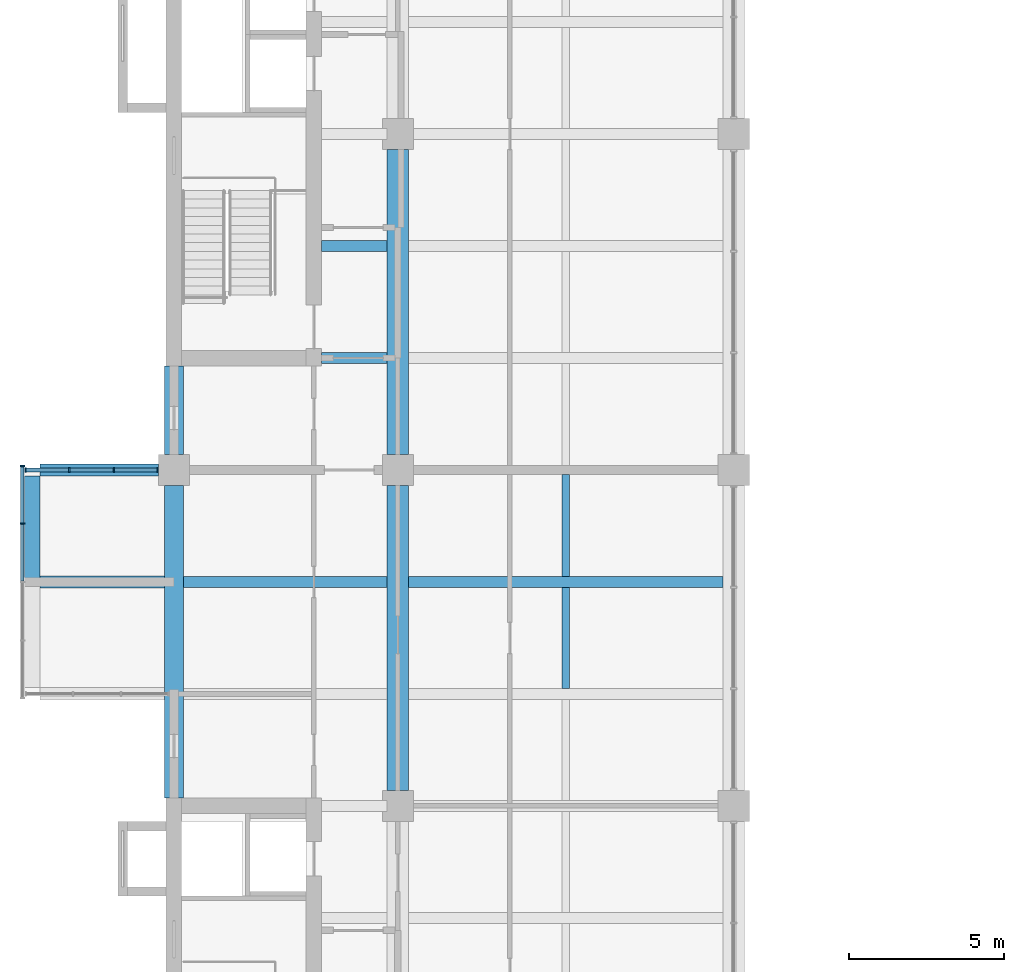
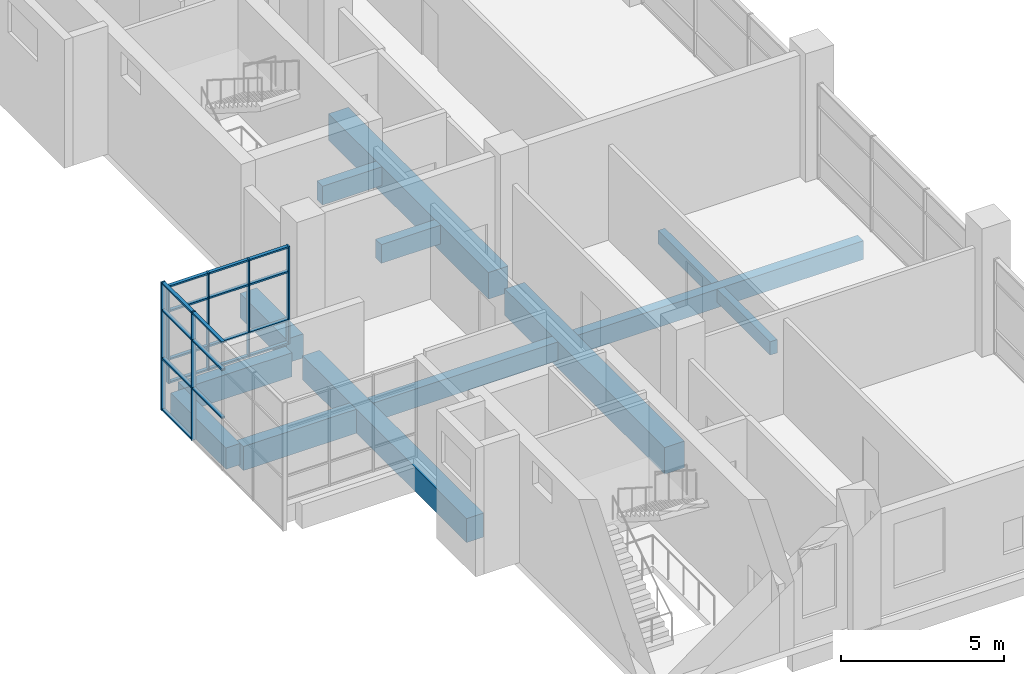
# One storey, part 3 of 30: 25 members, 13 beams, 2 elements without a shape of their own.
"""IFC4 building model written with IfcOpenShell, lengths in metres."""

from ifc_helpers import new_model, si_unit, direction, frame, origin, origin_2d, place, context, subcontext, project, spatial, rectangle, extrude, material, layer, layer_set, material_profile, profile_set, type_object, element, aggregate, save


model = new_model("IFC4")

# Units and contexts
model_context = context("Model", 3, precision=1e-05, world=origin(), true_north=direction((0.0, 1.0)))
body_context = subcontext(model_context, "Body", "Model", "MODEL_VIEW")
ifc_project = project(units=[si_unit("LENGTHUNIT", "METRE"), si_unit("AREAUNIT", "SQUARE_METRE"), si_unit("VOLUMEUNIT", "CUBIC_METRE"), si_unit("PLANEANGLEUNIT", "RADIAN"), si_unit("MASSUNIT", "GRAM", prefix="KILO")], contexts=[model_context])

# Site, building, storey
site_placement = place(None, origin())
site = spatial("IfcSite", under=ifc_project, at=site_placement, CompositionType="ELEMENT")
building_placement = place(site_placement, origin())
building = spatial("IfcBuilding", under=site, at=building_placement, Name="Basin Gate Institute", CompositionType="ELEMENT")
storey_placement = place(building_placement, frame((0.0, 0.0, 36.60009765625)))
storey = spatial("IfcBuildingStorey", under=building, at=storey_placement, Name="L07", CompositionType="ELEMENT", Elevation=36.60009765625)

# Beams
ifc_material_1 = material(Name="Concrete 40 MPa", Category="concrete")
ifc_material_profile_1 = material_profile(ifc_material_1, rectangle(XDim=0.35009765625, YDim=0.699951171875, at=origin_2d()), Name="Beam B1 350 x 700")
ifc_profile_set_1 = profile_set([ifc_material_profile_1], Name="Concrete 40 MPa")
beam_type_1 = type_object("IfcBeamType", Name="Beam B1 R120", PredefinedType="BEAM", material=ifc_profile_set_1)
beam_1_placement = place(storey_placement, frame((68.75, 53.10009765625, -0.60009765625), z_axis=(1.0, 0.0, 0.0), x_axis=(0.0, 1.0, 0.0)))
element("IfcBeam", 1, at=beam_1_placement, inside=storey, type_object=beam_type_1, material=ifc_profile_set_1, Name="BEAM/L07/W/EW/06", PredefinedType="BEAM", context=body_context, shape_type="SweptSolid", body=[
    extrude(rectangle(XDim=0.35009765625, YDim=0.699951171875, at=origin_2d()), origin(), (0.0, 0.0, 1.0), 10.10009765625),
])
beam_2_placement = place(storey_placement, frame((61.5, 53.10009765625, -0.60009765625), z_axis=(1.0, 0.0, 0.0), x_axis=(0.0, 1.0, 0.0)))
element("IfcBeam", 2, at=beam_2_placement, inside=storey, type_object=beam_type_1, material=ifc_profile_set_1, Name="BEAM/L07/W/OUT/06", PredefinedType="BEAM", context=body_context, shape_type="SweptSolid", body=[
    extrude(rectangle(XDim=0.35009765625, YDim=0.699951171875, at=origin_2d()), origin(), (0.0, 0.0, 1.0), 6.550048828125),
])
for number, where, z_axis, x_axis, name in (
    (3, (65.949951171875, 60.300048828125, -0.60009765625), (1.0, 0.0, 0.0), (0.0, 1.0, 0.0), "BEAM/L07/W/CORR/08"),
    (4, (65.949951171875, 63.89990234375, -0.60009765625), (1.0, 0.0, 0.0), (0.0, 1.0, 0.0), "BEAM/L07/W/CORR/09"),
):
    element("IfcBeam", number, at=place(storey_placement, frame(where, z_axis=z_axis, x_axis=x_axis)), inside=storey, type_object=beam_type_1, material=ifc_profile_set_1, Name=name, PredefinedType="BEAM", context=body_context, shape_type="SweptSolid", body=[
        extrude(rectangle(XDim=0.35009765625, YDim=0.699951171875, at=origin_2d()), origin(), (0.0, 0.0, 1.0), 2.10009765625),
    ])
ifc_material_2 = material(Name="Concrete 50 MPa", Category="concrete")
ifc_material_profile_2 = material_profile(ifc_material_2, rectangle(XDim=0.39990234375, YDim=0.89990234375, at=origin_2d()), Name="Cantilever beam B3 400 x 900")
ifc_profile_set_2 = profile_set([ifc_material_profile_2], Name="Concrete 50 MPa")
beam_type_2 = type_object("IfcBeamType", Name="Cantilever beam B3 R120", PredefinedType="BEAM", material=ifc_profile_set_2)
beam_3_placement = place(storey_placement, frame((56.89990234375, 53.10009765625, -0.7001953125), z_axis=(1.0, 0.0, 0.0), x_axis=(0.0, 1.0, 0.0)))
element("IfcBeam", 5, at=beam_3_placement, inside=storey, type_object=beam_type_2, material=ifc_profile_set_2, Name="BEAM/L07/W/CANT/06", PredefinedType="BEAM", context=body_context, shape_type="SweptSolid", body=[
    extrude(rectangle(XDim=0.39990234375, YDim=0.89990234375, at=origin_2d()), origin(), (0.0, 0.0, 1.0), 4.0),
])
beam_4_placement = place(storey_placement, frame((56.89990234375, 56.699951171875, -0.7001953125), z_axis=(1.0, 0.0, 0.0), x_axis=(0.0, 1.0, 0.0)))
element("IfcBeam", 6, at=beam_4_placement, inside=storey, type_object=beam_type_2, material=ifc_profile_set_2, Name="BEAM/L07/W/CANT/07", PredefinedType="BEAM", context=body_context, shape_type="SweptSolid", body=[
    extrude(rectangle(XDim=0.39990234375, YDim=0.89990234375, at=origin_2d()), origin(), (0.0, 0.0, 1.0), 3.800048828125),
])
ifc_material_3 = material(Name="Concrete 50 MPa", Category="concrete")
ifc_material_profile_3 = material_profile(ifc_material_3, rectangle(XDim=0.60009765625, YDim=0.89990234375, at=origin_2d()), Name="Edge beam EB1 600 x 900")
ifc_profile_set_3 = profile_set([ifc_material_profile_3], Name="Concrete 50 MPa")
beam_type_3 = type_object("IfcBeamType", Name="Edge beam EB1 R120", PredefinedType="SPANDREL", material=ifc_profile_set_3)
beam_5_placement = place(storey_placement, frame((61.199951171875, 46.14990234375, -0.7001953125), z_axis=(0.0, 1.0, 0.0), x_axis=(-1.0, 0.0, 0.0)))
element("IfcBeam", 7, at=beam_5_placement, inside=storey, type_object=beam_type_3, material=ifc_profile_set_3, Name="BEAM/L07/W/EDGE/1", PredefinedType="SPANDREL", context=body_context, shape_type="SweptSolid", body=[
    extrude(rectangle(XDim=0.60009765625, YDim=0.89990234375, at=origin_2d()), origin(), (0.0, 0.0, 1.0), 10.050048828125),
])
ifc_material_4 = material(Name="Concrete 50 MPa", Category="concrete")
ifc_material_profile_4 = material_profile(ifc_material_4, rectangle(XDim=0.60009765625, YDim=0.89990234375, at=origin_2d()), Name="Edge return beam EB3 600 x 900")
ifc_profile_set_4 = profile_set([ifc_material_profile_4], Name="Concrete 50 MPa")
beam_type_4 = type_object("IfcBeamType", Name="Edge return beam EB3 R120", PredefinedType="SPANDREL", material=ifc_profile_set_4)
beam_6_placement = place(storey_placement, frame((61.199951171875, 57.199951171875, -0.7001953125), z_axis=(0.0, 1.0, 0.0), x_axis=(-1.0, 0.0, 0.0)))
element("IfcBeam", 8, at=beam_6_placement, inside=storey, type_object=beam_type_4, material=ifc_profile_set_4, Name="BEAM/L07/W/EDGE/2", PredefinedType="SPANDREL", context=body_context, shape_type="SweptSolid", body=[
    extrude(rectangle(XDim=0.60009765625, YDim=0.89990234375, at=origin_2d()), origin(), (0.0, 0.0, 1.0), 2.85009765625),
])
ifc_material_5 = material(Name="Concrete 50 MPa", Category="concrete")
ifc_material_profile_5 = material_profile(ifc_material_5, rectangle(XDim=0.699951171875, YDim=1.0, at=origin_2d()), Name="Girder G1 700 x 1000")
ifc_profile_set_5 = profile_set([ifc_material_profile_5], Name="Concrete 50 MPa")
beam_type_5 = type_object("IfcBeamType", Name="Girder G1 R120", PredefinedType="BEAM", material=ifc_profile_set_5)
for number, where, z_axis, x_axis, name in (
    (9, (68.39990234375, 46.39990234375, -0.75), (0.0, 1.0, 0.0), (-1.0, 0.0, 0.0), "GIR/L07/W5/2"),
    (10, (68.39990234375, 57.199951171875, -0.75), (0.0, 1.0, 0.0), (-1.0, 0.0, 0.0), "GIR/L07/W5/3"),
):
    element("IfcBeam", number, at=place(storey_placement, frame(where, z_axis=z_axis, x_axis=x_axis)), inside=storey, type_object=beam_type_5, material=ifc_profile_set_5, Name=name, PredefinedType="BEAM", context=body_context, shape_type="SweptSolid", body=[
        extrude(rectangle(XDim=0.699951171875, YDim=1.0, at=origin_2d()), origin(), (0.0, 0.0, 1.0), 9.800048828125),
    ])

# Curtain wall, members
ifc_material_6 = material(Name="Aluminium-framed glazing", Category="aluminium")
ifc_layer = layer(ifc_material_6, 0.14990234375)
ifc_layer_set = layer_set([ifc_layer], Name="Capsule front curtain wall CW1")
curtain_wall_type = type_object("IfcCurtainWallType", Name="Capsule front curtain wall CW1", PredefinedType="NOTDEFINED", material=ifc_layer_set)
curtain_wall_1_placement = place(storey_placement, origin())
curtain_wall_1 = element("IfcCurtainWall", 11, at=curtain_wall_1_placement, inside=storey, type_object=curtain_wall_type, material=ifc_layer_set, Name="Capsule front curtain wall W wing capsule end L07 line 7", PredefinedType="NOTDEFINED")
ifc_material_7 = material(Name="Aluminium", Category="aluminium")
ifc_material_profile_6 = material_profile(ifc_material_7, rectangle(XDim=0.14990234375, YDim=0.050048828125, at=origin_2d()), Name="Mullion MU1 150 x 50")
ifc_profile_set_6 = profile_set([ifc_material_profile_6], Name="Aluminium")
member_type_1 = type_object("IfcMemberType", Name="Mullion MU1", PredefinedType="MULLION", material=ifc_profile_set_6)
member_1_placement = place(storey_placement, frame((56.425048828125, 56.699951171875, 0.0), z_axis=(0.0, 0.0, 1.0), x_axis=(0.0, 1.0, 0.0)))
member_1 = element("IfcMember", 12, at=member_1_placement, type_object=member_type_1, material=ifc_profile_set_6, Name="CW1 mullion 1", PredefinedType="MULLION", context=body_context, shape_type="SweptSolid", body=[
    extrude(rectangle(XDim=0.14990234375, YDim=0.050048828125, at=origin_2d()), origin(), (0.0, 0.0, 1.0), 3.64990234375),
])
member_2_placement = place(storey_placement, frame((57.833251953125, 56.699951171875, 0.0), z_axis=(0.0, 0.0, 1.0), x_axis=(0.0, 1.0, 0.0)))
member_2 = element("IfcMember", 13, at=member_2_placement, type_object=member_type_1, material=ifc_profile_set_6, Name="CW1 mullion 2", PredefinedType="MULLION", context=body_context, shape_type="SweptSolid", body=[
    extrude(rectangle(XDim=0.14990234375, YDim=0.050048828125, at=origin_2d()), origin(), (0.0, 0.0, 1.0), 3.64990234375),
])
member_3_placement = place(storey_placement, frame((59.2666015625, 56.699951171875, 0.0), z_axis=(0.0, 0.0, 1.0), x_axis=(0.0, 1.0, 0.0)))
member_3 = element("IfcMember", 14, at=member_3_placement, type_object=member_type_1, material=ifc_profile_set_6, Name="CW1 mullion 3", PredefinedType="MULLION", context=body_context, shape_type="SweptSolid", body=[
    extrude(rectangle(XDim=0.14990234375, YDim=0.050048828125, at=origin_2d()), origin(), (0.0, 0.0, 1.0), 3.64990234375),
])
member_4_placement = place(storey_placement, frame((60.675048828125, 56.699951171875, 0.0), z_axis=(0.0, 0.0, 1.0), x_axis=(0.0, 1.0, 0.0)))
member_4 = element("IfcMember", 15, at=member_4_placement, type_object=member_type_1, material=ifc_profile_set_6, Name="CW1 mullion 4", PredefinedType="MULLION", context=body_context, shape_type="SweptSolid", body=[
    extrude(rectangle(XDim=0.14990234375, YDim=0.050048828125, at=origin_2d()), origin(), (0.0, 0.0, 1.0), 3.64990234375),
])

curtain_wall_2_placement = place(storey_placement, origin())
curtain_wall_2 = element("IfcCurtainWall", 16, at=curtain_wall_2_placement, inside=storey, type_object=curtain_wall_type, material=ifc_layer_set, Name="Capsule front curtain wall W wing capsule 1 L07 front 2", PredefinedType="NOTDEFINED")
member_5_placement = place(storey_placement, frame((56.324951171875, 54.97509765625, -1.050048828125), z_axis=(0.0, 0.0, 1.0), x_axis=(-1.0, 0.0, 0.0)))
member_5 = element("IfcMember", 17, at=member_5_placement, type_object=member_type_1, material=ifc_profile_set_6, Name="CW1 mullion 4", PredefinedType="MULLION", context=body_context, shape_type="SweptSolid", body=[
    extrude(rectangle(XDim=0.14990234375, YDim=0.050048828125, at=origin_2d()), origin(), (0.0, 0.0, 1.0), 4.800048828125),
])
member_6_placement = place(storey_placement, frame((56.324951171875, 56.824951171875, -1.050048828125), z_axis=(0.0, 0.0, 1.0), x_axis=(-1.0, 0.0, 0.0)))
member_6 = element("IfcMember", 18, at=member_6_placement, type_object=member_type_1, material=ifc_profile_set_6, Name="CW1 mullion 5", PredefinedType="MULLION", context=body_context, shape_type="SweptSolid", body=[
    extrude(rectangle(XDim=0.14990234375, YDim=0.050048828125, at=origin_2d()), origin(), (0.0, 0.0, 1.0), 4.800048828125),
])

# Beams
ifc_material_8 = material(Name="Concrete 40 MPa", Category="concrete")
ifc_material_profile_7 = material_profile(ifc_material_8, rectangle(XDim=0.25, YDim=0.5, at=origin_2d()), Name="Rib R1 250 x 500")
ifc_profile_set_7 = profile_set([ifc_material_profile_7], Name="Concrete 40 MPa")
beam_type_6 = type_object("IfcBeamType", Name="Rib R1 R120", PredefinedType="JOIST", material=ifc_profile_set_7)
beam_7_placement = place(storey_placement, frame((73.800048828125, 49.675048828125, -0.5), z_axis=(0.0, 1.0, 0.0), x_axis=(-1.0, 0.0, 0.0)))
element("IfcBeam", 19, at=beam_7_placement, inside=storey, type_object=beam_type_6, material=ifc_profile_set_7, Name="BEAM/L07/W/RIB/05", PredefinedType="JOIST", context=body_context, shape_type="SweptSolid", body=[
    extrude(rectangle(XDim=0.25, YDim=0.5, at=origin_2d()), origin(), (0.0, 0.0, 1.0), 3.25),
])
beam_8_placement = place(storey_placement, frame((73.800048828125, 53.27490234375, -0.5), z_axis=(0.0, 1.0, 0.0), x_axis=(-1.0, 0.0, 0.0)))
element("IfcBeam", 20, at=beam_8_placement, inside=storey, type_object=beam_type_6, material=ifc_profile_set_7, Name="BEAM/L07/W/RIB/06", PredefinedType="JOIST", context=body_context, shape_type="SweptSolid", body=[
    extrude(rectangle(XDim=0.25, YDim=0.5, at=origin_2d()), origin(), (0.0, 0.0, 1.0), 3.275146484375),
])
ifc_material_9 = material(Name="Concrete 50 MPa", Category="concrete")
ifc_material_profile_8 = material_profile(ifc_material_9, rectangle(XDim=0.5, YDim=0.800048828125, at=origin_2d()), Name="Tip beam TB1 500 x 800")
ifc_profile_set_8 = profile_set([ifc_material_profile_8], Name="Concrete 50 MPa")
beam_type_7 = type_object("IfcBeamType", Name="Tip beam TB1 R120", PredefinedType="SPANDREL", material=ifc_profile_set_8)
beam_9_placement = place(storey_placement, frame((56.64990234375, 53.10009765625, -0.650146484375), z_axis=(0.0, 1.0, 0.0), x_axis=(-1.0, 0.0, 0.0)))
element("IfcBeam", 21, at=beam_9_placement, inside=storey, type_object=beam_type_7, material=ifc_profile_set_8, Name="BEAM/L07/W/TIP/3", PredefinedType="SPANDREL", context=body_context, shape_type="SweptSolid", body=[
    extrude(rectangle(XDim=0.5, YDim=0.800048828125, at=origin_2d()), origin(), (0.0, 0.0, 1.0), 3.39990234375),
])

# Member
ifc_material_10 = material(Name="Aluminium", Category="aluminium")
ifc_material_profile_9 = material_profile(ifc_material_10, rectangle(XDim=0.1201171875, YDim=0.06005859375, at=origin_2d()), Name="Transom TR1 120 x 60")
ifc_profile_set_9 = profile_set([ifc_material_profile_9], Name="Aluminium")
member_type_2 = type_object("IfcMemberType", Name="Transom TR1", PredefinedType="USERDEFINED", material=ifc_profile_set_9)
member_7_placement = place(storey_placement, frame((56.449951171875, 56.699951171875, 0.02978515625), z_axis=(1.0, 0.0, 0.0), x_axis=(0.0, 1.0, 0.0)))
member_7 = element("IfcMember", 22, at=member_7_placement, type_object=member_type_2, material=ifc_profile_set_9, Name="CW1 transom 1.1", ObjectType="TRANSOM", PredefinedType="USERDEFINED", context=body_context, shape_type="SweptSolid", body=[
    extrude(rectangle(XDim=0.1201171875, YDim=0.06005859375, at=origin_2d()), origin(), (0.0, 0.0, 1.0), 1.3583984375),
])

member_8_placement = place(storey_placement, frame((56.449951171875, 56.699951171875, 0.89990234375), z_axis=(1.0, 0.0, 0.0), x_axis=(0.0, 1.0, 0.0)))
member_8 = element("IfcMember", 23, at=member_8_placement, type_object=member_type_2, material=ifc_profile_set_9, Name="CW1 transom 1.2", ObjectType="TRANSOM", PredefinedType="USERDEFINED", context=body_context, shape_type="SweptSolid", body=[
    extrude(rectangle(XDim=0.1201171875, YDim=0.06005859375, at=origin_2d()), origin(), (0.0, 0.0, 1.0), 1.3583984375),
])

member_9_placement = place(storey_placement, frame((56.449951171875, 56.699951171875, 2.699951171875), z_axis=(1.0, 0.0, 0.0), x_axis=(0.0, 1.0, 0.0)))
member_9 = element("IfcMember", 24, at=member_9_placement, type_object=member_type_2, material=ifc_profile_set_9, Name="CW1 transom 1.3", ObjectType="TRANSOM", PredefinedType="USERDEFINED", context=body_context, shape_type="SweptSolid", body=[
    extrude(rectangle(XDim=0.1201171875, YDim=0.06005859375, at=origin_2d()), origin(), (0.0, 0.0, 1.0), 1.3583984375),
])

member_10_placement = place(storey_placement, frame((56.449951171875, 56.699951171875, 3.619873046875), z_axis=(1.0, 0.0, 0.0), x_axis=(0.0, 1.0, 0.0)))
member_10 = element("IfcMember", 25, at=member_10_placement, type_object=member_type_2, material=ifc_profile_set_9, Name="CW1 transom 1.4", ObjectType="TRANSOM", PredefinedType="USERDEFINED", context=body_context, shape_type="SweptSolid", body=[
    extrude(rectangle(XDim=0.1201171875, YDim=0.06005859375, at=origin_2d()), origin(), (0.0, 0.0, 1.0), 1.3583984375),
])

member_11_placement = place(storey_placement, frame((57.8583984375, 56.699951171875, 0.02978515625), z_axis=(1.0, 0.0, 0.0), x_axis=(0.0, 1.0, 0.0)))
member_11 = element("IfcMember", 26, at=member_11_placement, type_object=member_type_2, material=ifc_profile_set_9, Name="CW1 transom 2.1", ObjectType="TRANSOM", PredefinedType="USERDEFINED", context=body_context, shape_type="SweptSolid", body=[
    extrude(rectangle(XDim=0.1201171875, YDim=0.06005859375, at=origin_2d()), origin(), (0.0, 0.0, 1.0), 1.38330078125),
])

member_12_placement = place(storey_placement, frame((57.8583984375, 56.699951171875, 0.89990234375), z_axis=(1.0, 0.0, 0.0), x_axis=(0.0, 1.0, 0.0)))
member_12 = element("IfcMember", 27, at=member_12_placement, type_object=member_type_2, material=ifc_profile_set_9, Name="CW1 transom 2.2", ObjectType="TRANSOM", PredefinedType="USERDEFINED", context=body_context, shape_type="SweptSolid", body=[
    extrude(rectangle(XDim=0.1201171875, YDim=0.06005859375, at=origin_2d()), origin(), (0.0, 0.0, 1.0), 1.38330078125),
])

member_13_placement = place(storey_placement, frame((57.8583984375, 56.699951171875, 2.699951171875), z_axis=(1.0, 0.0, 0.0), x_axis=(0.0, 1.0, 0.0)))
member_13 = element("IfcMember", 28, at=member_13_placement, type_object=member_type_2, material=ifc_profile_set_9, Name="CW1 transom 2.3", ObjectType="TRANSOM", PredefinedType="USERDEFINED", context=body_context, shape_type="SweptSolid", body=[
    extrude(rectangle(XDim=0.1201171875, YDim=0.06005859375, at=origin_2d()), origin(), (0.0, 0.0, 1.0), 1.38330078125),
])

member_14_placement = place(storey_placement, frame((57.8583984375, 56.699951171875, 3.619873046875), z_axis=(1.0, 0.0, 0.0), x_axis=(0.0, 1.0, 0.0)))
member_14 = element("IfcMember", 29, at=member_14_placement, type_object=member_type_2, material=ifc_profile_set_9, Name="CW1 transom 2.4", ObjectType="TRANSOM", PredefinedType="USERDEFINED", context=body_context, shape_type="SweptSolid", body=[
    extrude(rectangle(XDim=0.1201171875, YDim=0.06005859375, at=origin_2d()), origin(), (0.0, 0.0, 1.0), 1.38330078125),
])

member_15_placement = place(storey_placement, frame((59.291748046875, 56.699951171875, 0.02978515625), z_axis=(1.0, 0.0, 0.0), x_axis=(0.0, 1.0, 0.0)))
member_15 = element("IfcMember", 30, at=member_15_placement, type_object=member_type_2, material=ifc_profile_set_9, Name="CW1 transom 3.1", ObjectType="TRANSOM", PredefinedType="USERDEFINED", context=body_context, shape_type="SweptSolid", body=[
    extrude(rectangle(XDim=0.1201171875, YDim=0.06005859375, at=origin_2d()), origin(), (0.0, 0.0, 1.0), 1.358154296875),
])

member_16_placement = place(storey_placement, frame((59.291748046875, 56.699951171875, 0.89990234375), z_axis=(1.0, 0.0, 0.0), x_axis=(0.0, 1.0, 0.0)))
member_16 = element("IfcMember", 31, at=member_16_placement, type_object=member_type_2, material=ifc_profile_set_9, Name="CW1 transom 3.2", ObjectType="TRANSOM", PredefinedType="USERDEFINED", context=body_context, shape_type="SweptSolid", body=[
    extrude(rectangle(XDim=0.1201171875, YDim=0.06005859375, at=origin_2d()), origin(), (0.0, 0.0, 1.0), 1.358154296875),
])

member_17_placement = place(storey_placement, frame((59.291748046875, 56.699951171875, 2.699951171875), z_axis=(1.0, 0.0, 0.0), x_axis=(0.0, 1.0, 0.0)))
member_17 = element("IfcMember", 32, at=member_17_placement, type_object=member_type_2, material=ifc_profile_set_9, Name="CW1 transom 3.3", ObjectType="TRANSOM", PredefinedType="USERDEFINED", context=body_context, shape_type="SweptSolid", body=[
    extrude(rectangle(XDim=0.1201171875, YDim=0.06005859375, at=origin_2d()), origin(), (0.0, 0.0, 1.0), 1.358154296875),
])

member_18_placement = place(storey_placement, frame((59.291748046875, 56.699951171875, 3.619873046875), z_axis=(1.0, 0.0, 0.0), x_axis=(0.0, 1.0, 0.0)))
member_18 = element("IfcMember", 33, at=member_18_placement, type_object=member_type_2, material=ifc_profile_set_9, Name="CW1 transom 3.4", ObjectType="TRANSOM", PredefinedType="USERDEFINED", context=body_context, shape_type="SweptSolid", body=[
    extrude(rectangle(XDim=0.1201171875, YDim=0.06005859375, at=origin_2d()), origin(), (0.0, 0.0, 1.0), 1.358154296875),
])

aggregate(curtain_wall_1, [member_1, member_2, member_3, member_4, member_7, member_8, member_9, member_10, member_11, member_12, member_13, member_14, member_15, member_16, member_17, member_18])

member_19_placement = place(storey_placement, frame((56.324951171875, 53.125, 0.89990234375), z_axis=(0.0, 1.0, 0.0), x_axis=(-1.0, 0.0, 0.0)))
member_19 = element("IfcMember", 34, at=member_19_placement, type_object=member_type_2, material=ifc_profile_set_9, Name="CW1 transom 3.2", ObjectType="TRANSOM", PredefinedType="USERDEFINED", context=body_context, shape_type="SweptSolid", body=[
    extrude(rectangle(XDim=0.1201171875, YDim=0.06005859375, at=origin_2d()), origin(), (0.0, 0.0, 1.0), 1.824951171875),
])

member_20_placement = place(storey_placement, frame((56.324951171875, 53.125, 2.699951171875), z_axis=(0.0, 1.0, 0.0), x_axis=(-1.0, 0.0, 0.0)))
member_20 = element("IfcMember", 35, at=member_20_placement, type_object=member_type_2, material=ifc_profile_set_9, Name="CW1 transom 3.3", ObjectType="TRANSOM", PredefinedType="USERDEFINED", context=body_context, shape_type="SweptSolid", body=[
    extrude(rectangle(XDim=0.1201171875, YDim=0.06005859375, at=origin_2d()), origin(), (0.0, 0.0, 1.0), 1.824951171875),
])

member_21_placement = place(storey_placement, frame((56.324951171875, 53.125, 3.719970703125), z_axis=(0.0, 1.0, 0.0), x_axis=(-1.0, 0.0, 0.0)))
member_21 = element("IfcMember", 36, at=member_21_placement, type_object=member_type_2, material=ifc_profile_set_9, Name="CW1 transom 3.4", ObjectType="TRANSOM", PredefinedType="USERDEFINED", context=body_context, shape_type="SweptSolid", body=[
    extrude(rectangle(XDim=0.1201171875, YDim=0.06005859375, at=origin_2d()), origin(), (0.0, 0.0, 1.0), 1.824951171875),
])

member_22_placement = place(storey_placement, frame((56.324951171875, 55.0, -1.02001953125), z_axis=(0.0, 1.0, 0.0), x_axis=(-1.0, 0.0, 0.0)))
member_22 = element("IfcMember", 37, at=member_22_placement, type_object=member_type_2, material=ifc_profile_set_9, Name="CW1 transom 4.1", ObjectType="TRANSOM", PredefinedType="USERDEFINED", context=body_context, shape_type="SweptSolid", body=[
    extrude(rectangle(XDim=0.1201171875, YDim=0.06005859375, at=origin_2d()), origin(), (0.0, 0.0, 1.0), 1.800048828125),
])

member_23_placement = place(storey_placement, frame((56.324951171875, 55.0, 0.89990234375), z_axis=(0.0, 1.0, 0.0), x_axis=(-1.0, 0.0, 0.0)))
member_23 = element("IfcMember", 38, at=member_23_placement, type_object=member_type_2, material=ifc_profile_set_9, Name="CW1 transom 4.2", ObjectType="TRANSOM", PredefinedType="USERDEFINED", context=body_context, shape_type="SweptSolid", body=[
    extrude(rectangle(XDim=0.1201171875, YDim=0.06005859375, at=origin_2d()), origin(), (0.0, 0.0, 1.0), 1.800048828125),
])

member_24_placement = place(storey_placement, frame((56.324951171875, 55.0, 2.699951171875), z_axis=(0.0, 1.0, 0.0), x_axis=(-1.0, 0.0, 0.0)))
member_24 = element("IfcMember", 39, at=member_24_placement, type_object=member_type_2, material=ifc_profile_set_9, Name="CW1 transom 4.3", ObjectType="TRANSOM", PredefinedType="USERDEFINED", context=body_context, shape_type="SweptSolid", body=[
    extrude(rectangle(XDim=0.1201171875, YDim=0.06005859375, at=origin_2d()), origin(), (0.0, 0.0, 1.0), 1.800048828125),
])

member_25_placement = place(storey_placement, frame((56.324951171875, 55.0, 3.719970703125), z_axis=(0.0, 1.0, 0.0), x_axis=(-1.0, 0.0, 0.0)))
member_25 = element("IfcMember", 40, at=member_25_placement, type_object=member_type_2, material=ifc_profile_set_9, Name="CW1 transom 4.4", ObjectType="TRANSOM", PredefinedType="USERDEFINED", context=body_context, shape_type="SweptSolid", body=[
    extrude(rectangle(XDim=0.1201171875, YDim=0.06005859375, at=origin_2d()), origin(), (0.0, 0.0, 1.0), 1.800048828125),
])

aggregate(curtain_wall_2, [member_5, member_6, member_19, member_20, member_21, member_22, member_23, member_24, member_25])

save(model, "model.ifc")
